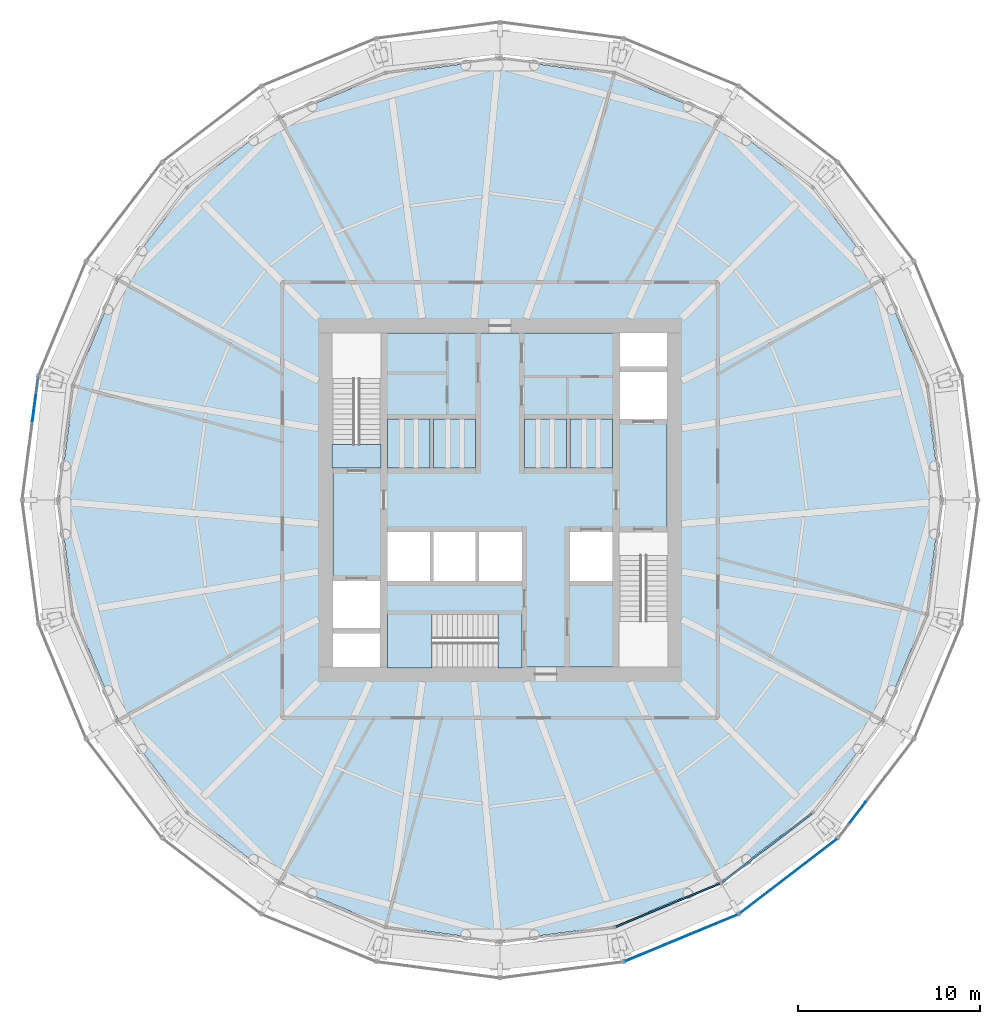
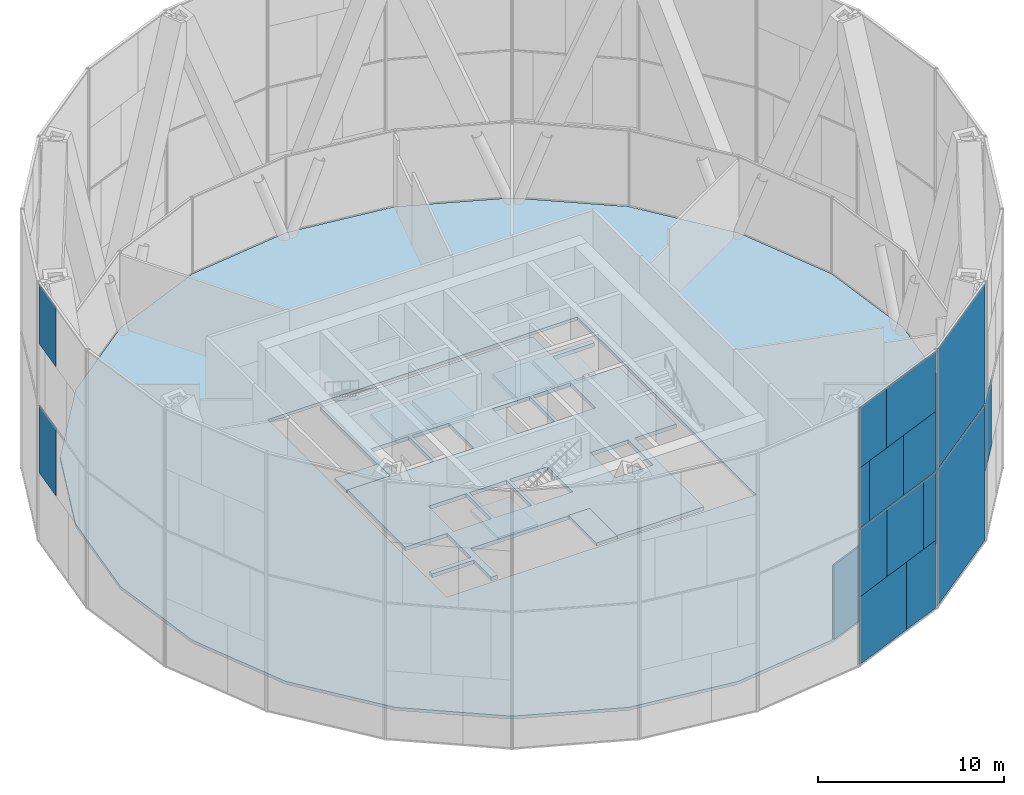
# One storey, part 10 of 16: 17 plates, 9 slabs, 7 elements without a shape of their own.
"""IFC4 building model written with IfcOpenShell, lengths in metres."""

from ifc_helpers import new_model, si_unit, direction, frame, origin, origin_2d, place, context, subcontext, project, spatial, polyline, rectangle, outline, extrude, material, layer, layer_set, type_object, element, aggregate, save


model = new_model("IFC4")

# Units and contexts
model_context = context("Model", 3, precision=1e-05, world=origin(), true_north=direction((0.0, 1.0)))
body_context = subcontext(model_context, "Body", "Model", "MODEL_VIEW")
ifc_project = project(units=[si_unit("LENGTHUNIT", "METRE"), si_unit("AREAUNIT", "SQUARE_METRE"), si_unit("VOLUMEUNIT", "CUBIC_METRE"), si_unit("PLANEANGLEUNIT", "RADIAN"), si_unit("MASSUNIT", "GRAM", prefix="KILO")], contexts=[model_context])

# Site, building, storey
site_placement = place(None, origin())
site = spatial("IfcSite", under=ifc_project, at=site_placement, CompositionType="ELEMENT")
building_placement = place(site_placement, origin())
building = spatial("IfcBuilding", under=site, at=building_placement, Name="Golbaran Civic Tower", CompositionType="ELEMENT")
storey_placement = place(building_placement, frame((0.0, 0.0, 85.0)))
storey = spatial("IfcBuildingStorey", under=building, at=storey_placement, Name="L20", CompositionType="ELEMENT", Elevation=85.0)

# Slabs
ifc_material_1 = material(Name="Concrete LC30/33 lightweight on steel deck", Category="concrete")
ifc_layer_1 = layer(ifc_material_1, 0.199951171875, Name="Concrete LC30/33 lightweight on steel deck")
ifc_layer_set_1 = layer_set([ifc_layer_1], Name="Concrete LC30/33 lightweight on steel deck")
slab_type_1 = type_object("IfcSlabType", Name="COMPOSITE FLOOR SLAB 200", PredefinedType="FLOOR", material=ifc_layer_set_1)
slab_1_placement = place(storey_placement, frame((0.0, 0.0, -0.199951171875)))
element("IfcSlab", 1, at=slab_1_placement, inside=storey, type_object=slab_type_1, Name="Floor slab L20", PredefinedType="FLOOR", context=body_context, shape_type="SweptSolid", body=[
    extrude(outline(polyline([(21.03173828125, -12.142578125), (17.17236328125, -17.17236328125), (12.142578125, -21.03173828125), (6.285400390625, -23.457763671875), (0.0, -24.285400390625), (-6.285400390625, -23.457763671875), (-12.142578125, -21.03173828125), (-17.17236328125, -17.17236328125), (-21.03173828125, -12.142578125), (-23.457763671875, -6.285400390625), (-24.285400390625, 0.0), (-23.457763671875, 6.285400390625), (-21.03173828125, 12.142578125), (-17.17236328125, 17.17236328125), (-12.142578125, 21.03173828125), (-6.285400390625, 23.457763671875), (0.0, 24.285400390625), (6.285400390625, 23.457763671875), (12.142578125, 21.03173828125), (17.17236328125, 17.17236328125), (21.03173828125, 12.142578125), (23.457763671875, 6.285400390625), (24.285400390625, 0.0), (23.457763671875, -6.285400390625), (21.03173828125, -12.142578125)]), holes=[polyline([(-9.60009765625, 9.60009765625), (-9.60009765625, -9.60009765625), (9.60009765625, -9.60009765625), (9.60009765625, 9.60009765625), (-9.60009765625, 9.60009765625)])]), origin(), (0.0, 0.0, 1.0), 0.199951171875),
])
ifc_material_2 = material(Name="Concrete C35/45", Category="concrete")
ifc_layer_2 = layer(ifc_material_2, 0.25, Name="Concrete C35/45")
ifc_layer_set_2 = layer_set([ifc_layer_2], Name="Concrete C35/45")
slab_type_2 = type_object("IfcSlabType", Name="CORE FLOOR SLAB 250", PredefinedType="FLOOR", material=ifc_layer_set_2)
slab_2_placement = place(storey_placement, frame((0.0, 0.0, -0.25)))
element("IfcSlab", 2, at=slab_2_placement, inside=storey, type_object=slab_type_2, Name="Core floor slab L20", PredefinedType="FLOOR", context=body_context, shape_type="SweptSolid", body=[
    extrude(outline(polyline([(6.60009765625, -1.75), (6.60009765625, -9.199951171875), (1.199951171875, -9.199951171875), (1.199951171875, -6.300048828125), (-6.199951171875, -6.300048828125), (-6.199951171875, -9.199951171875), (-6.60009765625, -9.199951171875), (-6.60009765625, -7.35009765625), (-9.199951171875, -7.35009765625), (-9.199951171875, -7.050048828125), (-6.60009765625, -7.050048828125), (-6.60009765625, -4.449951171875), (-9.199951171875, -4.449951171875), (-9.199951171875, 1.75), (-6.60009765625, 1.75), (-6.60009765625, 9.199951171875), (6.60009765625, 9.199951171875), (6.60009765625, 7.35009765625), (9.199951171875, 7.35009765625), (9.199951171875, 7.050048828125), (6.60009765625, 7.050048828125), (6.60009765625, 4.449951171875), (9.199951171875, 4.449951171875), (9.199951171875, -1.75), (6.60009765625, -1.75)]), holes=[polyline([(6.199951171875, -1.75), (3.85009765625, -1.75), (3.85009765625, -4.449951171875), (6.199951171875, -4.449951171875), (6.199951171875, -1.75)]), polyline([(6.199951171875, 4.449951171875), (3.85009765625, 4.449951171875), (3.85009765625, 1.75), (6.199951171875, 1.75), (6.199951171875, 4.449951171875)]), polyline([(3.64990234375, 4.449951171875), (1.35009765625, 4.449951171875), (1.35009765625, 1.75), (3.64990234375, 1.75), (3.64990234375, 4.449951171875)]), polyline([(1.199951171875, -1.75), (-1.14990234375, -1.75), (-1.14990234375, -4.449951171875), (1.199951171875, -4.449951171875), (1.199951171875, -1.75)]), polyline([(-1.35009765625, 4.449951171875), (-3.64990234375, 4.449951171875), (-3.64990234375, 1.75), (-1.35009765625, 1.75), (-1.35009765625, 4.449951171875)]), polyline([(-1.35009765625, -1.75), (-3.64990234375, -1.75), (-3.64990234375, -4.449951171875), (-1.35009765625, -4.449951171875), (-1.35009765625, -1.75)]), polyline([(-3.85009765625, -1.75), (-6.199951171875, -1.75), (-6.199951171875, -4.449951171875), (-3.85009765625, -4.449951171875), (-3.85009765625, -1.75)]), polyline([(-3.85009765625, 4.449951171875), (-6.199951171875, 4.449951171875), (-6.199951171875, 1.75), (-3.85009765625, 1.75), (-3.85009765625, 4.449951171875)])]), origin(), (0.0, 0.0, 1.0), 0.25),
])
ifc_layer_3 = layer(ifc_material_2, 0.300048828125, Name="Concrete C35/45")
ifc_layer_set_3 = layer_set([ifc_layer_3], Name="Concrete C35/45")
slab_type_3 = type_object("IfcSlabType", Name="LIFT PIT SLAB 300", PredefinedType="FLOOR", material=ifc_layer_set_3)
slab_3_placement = place(storey_placement, frame((0.0, 0.0, 2.0)))
element("IfcSlab", 3, at=slab_3_placement, inside=storey, type_object=slab_type_3, Name="Lift pit slab Z1M", PredefinedType="FLOOR", context=body_context, shape_type="SweptSolid", body=[
    extrude(outline(polyline([(-6.199951171875, 1.75), (-3.85009765625, 1.75), (-3.85009765625, 4.449951171875), (-6.199951171875, 4.449951171875), (-6.199951171875, 1.75)])), origin(), (0.0, 0.0, 1.0), 0.300048828125),
])
slab_4_placement = place(storey_placement, frame((0.0, 0.0, 2.0)))
element("IfcSlab", 4, at=slab_4_placement, inside=storey, type_object=slab_type_3, Name="Lift pit slab Z2M", PredefinedType="FLOOR", context=body_context, shape_type="SweptSolid", body=[
    extrude(outline(polyline([(-3.64990234375, 1.75), (-1.35009765625, 1.75), (-1.35009765625, 4.449951171875), (-3.64990234375, 4.449951171875), (-3.64990234375, 1.75)])), origin(), (0.0, 0.0, 1.0), 0.300048828125),
])
slab_5_placement = place(storey_placement, frame((0.0, 0.0, 2.0)))
element("IfcSlab", 5, at=slab_5_placement, inside=storey, type_object=slab_type_3, Name="Lift pit slab Z3M", PredefinedType="FLOOR", context=body_context, shape_type="SweptSolid", body=[
    extrude(outline(polyline([(1.35009765625, 1.75), (3.64990234375, 1.75), (3.64990234375, 4.449951171875), (1.35009765625, 4.449951171875), (1.35009765625, 1.75)])), origin(), (0.0, 0.0, 1.0), 0.300048828125),
])
slab_6_placement = place(storey_placement, frame((0.0, 0.0, 2.0)))
element("IfcSlab", 6, at=slab_6_placement, inside=storey, type_object=slab_type_3, Name="Lift pit slab Z4M", PredefinedType="FLOOR", context=body_context, shape_type="SweptSolid", body=[
    extrude(outline(polyline([(3.85009765625, 1.75), (6.199951171875, 1.75), (6.199951171875, 4.449951171875), (3.85009765625, 4.449951171875), (3.85009765625, 1.75)])), origin(), (0.0, 0.0, 1.0), 0.300048828125),
])

# Curtain wall, plate
ifc_material_3 = material(Name="Aluminium and glass", Category="aluminium")
curtain_wall_type_1 = type_object("IfcCurtainWallType", Name="OUTER SKIN TERRACOTTA SCREEN", PredefinedType="NOTDEFINED", material=ifc_material_3)
curtain_wall_1_placement = place(storey_placement, origin())
curtain_wall_1 = element("IfcCurtainWall", 7, at=curtain_wall_1_placement, inside=storey, type_object=curtain_wall_type_1, Name="Outer skin L20 facet 12 CW3", ObjectType="OUTER SKIN", PredefinedType="USERDEFINED")
ifc_material_4 = material(Name="Clear laminated glass", Category="glass")
ifc_layer_4 = layer(ifc_material_4, 0.0400390625, Name="Clear laminated glass")
ifc_layer_set_4 = layer_set([ifc_layer_4], Name="Clear laminated glass")
plate_type_1 = type_object("IfcPlateType", Name="OUTER SKIN CLEAR GLASS PANEL", PredefinedType="CURTAIN_PANEL", material=ifc_layer_set_4)
plate_1_placement = place(storey_placement, frame((-25.60205078125, 5.53759765625, 3.81005859375), z_axis=(0.0, 0.0, 1.0), x_axis=(-0.13052619222, -0.991444861374, 0.0)))
plate_1 = element("IfcPlate", 8, at=plate_1_placement, type_object=plate_type_1, Name="CW3 panel 1.1 part 3", PredefinedType="CURTAIN_PANEL", context=body_context, shape_type="SweptSolid", body=[
    extrude(rectangle(XDim=2.4169921875, YDim=0.0400390625, at=origin_2d()), origin(), (0.0, 0.0, 1.0), 4.43994140625),
])

# Curtain wall, plates
curtain_wall_2_placement = place(storey_placement, origin())
curtain_wall_2 = element("IfcCurtainWall", 9, at=curtain_wall_2_placement, inside=storey, type_object=curtain_wall_type_1, Name="Outer skin L20 facet 20 CW3", ObjectType="OUTER SKIN", PredefinedType="USERDEFINED")
plate_2_placement = place(storey_placement, frame((8.802734375, -24.6103515625, -0.6298828125), z_axis=(0.0, 0.0, 1.0), x_axis=(0.923879532498, 0.382683432397, 0.0)))
plate_2 = element("IfcPlate", 10, at=plate_2_placement, type_object=plate_type_1, Name="CW3 panel 1.1 part 1", PredefinedType="CURTAIN_PANEL", context=body_context, shape_type="SweptSolid", body=[
    extrude(rectangle(XDim=4.14306640625, YDim=0.0400390625, at=origin_2d()), origin(), (0.0, 0.0, 1.0), 4.43994140625),
])
plate_3_placement = place(storey_placement, frame((8.00537109375, -24.940673828125, 3.81005859375), z_axis=(0.0, 0.0, 1.0), x_axis=(0.923879532498, 0.382683432397, 0.0)))
plate_3 = element("IfcPlate", 11, at=plate_3_placement, type_object=plate_type_1, Name="CW3 panel 1.1 part 3", PredefinedType="CURTAIN_PANEL", context=body_context, shape_type="SweptSolid", body=[
    extrude(rectangle(XDim=2.4169921875, YDim=0.0400390625, at=origin_2d()), origin(), (0.0, 0.0, 1.0), 4.43994140625),
])
plate_4_placement = place(storey_placement, frame((12.598388671875, -23.038330078125, 3.81005859375), z_axis=(0.0, 0.0, 1.0), x_axis=(0.923879532498, 0.382683432397, 0.0)))
plate_4 = element("IfcPlate", 12, at=plate_4_placement, type_object=plate_type_1, Name="CW3 panel 1.1 part 5", PredefinedType="CURTAIN_PANEL", context=body_context, shape_type="SweptSolid", body=[
    extrude(rectangle(XDim=1.06787109375, YDim=0.0400390625, at=origin_2d()), origin(), (0.0, 0.0, 1.0), 4.43994140625),
])
plate_5_placement = place(storey_placement, frame((7.283447265625, -25.23974609375, 8.330078125), z_axis=(0.0, 0.0, 1.0), x_axis=(0.923879532498, 0.382683432397, 0.0)))
plate_5 = element("IfcPlate", 13, at=plate_5_placement, type_object=plate_type_1, Name="CW3 panel 1.2 part 1", PredefinedType="CURTAIN_PANEL", context=body_context, shape_type="SweptSolid", body=[
    extrude(rectangle(XDim=0.85400390625, YDim=0.0400390625, at=origin_2d()), origin(), (0.0, 0.0, 1.0), 3.93994140625),
])
plate_6_placement = place(storey_placement, frame((11.787109375, -23.374267578125, 8.330078125), z_axis=(0.0, 0.0, 1.0), x_axis=(0.923879532498, 0.382683432397, 0.0)))
plate_6 = element("IfcPlate", 14, at=plate_6_placement, type_object=plate_type_1, Name="CW3 panel 1.2 part 3", PredefinedType="CURTAIN_PANEL", context=body_context, shape_type="SweptSolid", body=[
    extrude(rectangle(XDim=2.82373046875, YDim=0.0400390625, at=origin_2d()), origin(), (0.0, 0.0, 1.0), 3.93994140625),
])
plate_7_placement = place(storey_placement, frame((11.080322265625, -23.6669921875, 12.27001953125), z_axis=(0.0, 0.0, 1.0), x_axis=(0.923879532498, 0.382683432397, 0.0)))
plate_7 = element("IfcPlate", 15, at=plate_7_placement, type_object=plate_type_1, Name="CW3 panel 1.2 part 5", PredefinedType="CURTAIN_PANEL", context=body_context, shape_type="SweptSolid", body=[
    extrude(rectangle(XDim=4.353759765625, YDim=0.0400390625, at=origin_2d()), origin(), (0.0, 0.0, 1.0), 3.93994140625),
])

# Curtain wall, plate
curtain_wall_3_placement = place(storey_placement, origin())
curtain_wall_3 = element("IfcCurtainWall", 16, at=curtain_wall_3_placement, inside=storey, type_object=curtain_wall_type_1, Name="Outer skin L20 facet 22 CW3", ObjectType="OUTER SKIN", PredefinedType="USERDEFINED")
plate_8_placement = place(storey_placement, frame((19.4033203125, -17.5966796875, 3.81005859375), z_axis=(0.0, 0.0, 1.0), x_axis=(0.608761429078, 0.793353340238, 0.0)))
plate_8 = element("IfcPlate", 17, at=plate_8_placement, type_object=plate_type_1, Name="CW3 panel 1.1 part 3", PredefinedType="CURTAIN_PANEL", context=body_context, shape_type="SweptSolid", body=[
    extrude(rectangle(XDim=2.4169921875, YDim=0.0400390625, at=origin_2d()), origin(), (0.0, 0.0, 1.0), 4.43994140625),
])
aggregate(curtain_wall_3, [plate_8])

# Plate
ifc_material_5 = material(Name="Terracotta baguette screen", Category="masonry")
ifc_layer_5 = layer(ifc_material_5, 0.0400390625, Name="Terracotta baguette screen")
ifc_layer_set_5 = layer_set([ifc_layer_5], Name="Terracotta baguette screen")
plate_type_2 = type_object("IfcPlateType", Name="OUTER SKIN TERRACOTTA INFILL PANEL", PredefinedType="CURTAIN_PANEL", material=ifc_layer_set_5)
plate_9_placement = place(storey_placement, frame((-25.59814453125, 5.565673828125, 12.27001953125), z_axis=(0.0, 0.0, 1.0), x_axis=(-0.13052619222, -0.991444861374, 0.0)))
plate_9 = element("IfcPlate", 18, at=plate_9_placement, type_object=plate_type_2, Name="CW3 infill panel 1.2 part 4", PredefinedType="CURTAIN_PANEL", context=body_context, shape_type="SweptSolid", body=[
    extrude(rectangle(XDim=2.360107421875, YDim=0.0400390625, at=origin_2d()), origin(), (0.0, 0.0, 1.0), 3.93994140625),
])

aggregate(curtain_wall_1, [plate_1, plate_9])

plate_10_placement = place(storey_placement, frame((11.904052734375, -23.325927734375, -0.6298828125), z_axis=(0.0, 0.0, 1.0), x_axis=(0.923879532498, 0.382683432397, 0.0)))
plate_10 = element("IfcPlate", 19, at=plate_10_placement, type_object=plate_type_2, Name="CW3 infill panel 1.1 part 2", PredefinedType="CURTAIN_PANEL", context=body_context, shape_type="SweptSolid", body=[
    extrude(rectangle(XDim=2.57080078125, YDim=0.0400390625, at=origin_2d()), origin(), (0.0, 0.0, 1.0), 4.43994140625),
])

plate_11_placement = place(storey_placement, frame((10.613525390625, -23.8603515625, 3.81005859375), z_axis=(0.0, 0.0, 1.0), x_axis=(0.923879532498, 0.382683432397, 0.0)))
plate_11 = element("IfcPlate", 20, at=plate_11_placement, type_object=plate_type_2, Name="CW3 infill panel 1.1 part 4", PredefinedType="CURTAIN_PANEL", context=body_context, shape_type="SweptSolid", body=[
    extrude(rectangle(XDim=3.22900390625, YDim=0.0400390625, at=origin_2d()), origin(), (0.0, 0.0, 1.0), 4.43994140625),
])

plate_12_placement = place(storey_placement, frame((9.080322265625, -24.495361328125, 8.330078125), z_axis=(0.0, 0.0, 1.0), x_axis=(0.923879532498, 0.382683432397, 0.0)))
plate_12 = element("IfcPlate", 21, at=plate_12_placement, type_object=plate_type_2, Name="CW3 infill panel 1.2 part 2", PredefinedType="CURTAIN_PANEL", context=body_context, shape_type="SweptSolid", body=[
    extrude(rectangle(XDim=3.035888671875, YDim=0.0400390625, at=origin_2d()), origin(), (0.0, 0.0, 1.0), 3.93994140625),
])

plate_13_placement = place(storey_placement, frame((7.97900390625, -24.95166015625, 12.27001953125), z_axis=(0.0, 0.0, 1.0), x_axis=(0.923879532498, 0.382683432397, 0.0)))
plate_13 = element("IfcPlate", 22, at=plate_13_placement, type_object=plate_type_2, Name="CW3 infill panel 1.2 part 4", PredefinedType="CURTAIN_PANEL", context=body_context, shape_type="SweptSolid", body=[
    extrude(rectangle(XDim=2.360107421875, YDim=0.0400390625, at=origin_2d()), origin(), (0.0, 0.0, 1.0), 3.93994140625),
])

aggregate(curtain_wall_2, [plate_2, plate_10, plate_3, plate_11, plate_4, plate_5, plate_12, plate_6, plate_13, plate_7])

# Curtain wall, plates
curtain_wall_4_placement = place(storey_placement, origin())
curtain_wall_4 = element("IfcCurtainWall", 23, at=curtain_wall_4_placement, inside=storey, type_object=curtain_wall_type_1, Name="Outer skin L20 facet 21 CW3", ObjectType="OUTER SKIN", PredefinedType="USERDEFINED")
ifc_layer_6 = layer(ifc_material_5, 0.0400390625, Name="Terracotta baguette screen")
ifc_layer_set_6 = layer_set([ifc_layer_6], Name="Terracotta baguette screen")
plate_type_3 = type_object("IfcPlateType", Name="OUTER SKIN TERRACOTTA SCREEN PANEL", PredefinedType="CURTAIN_PANEL", material=ifc_layer_set_6)
plate_14_placement = place(storey_placement, frame((15.89208984375, -20.711181640625, -0.6298828125), z_axis=(0.0, 0.0, 1.0), x_axis=(0.793353340238, 0.608761429078, 0.0)))
plate_14 = element("IfcPlate", 24, at=plate_14_placement, type_object=plate_type_3, Name="CW3 terracotta screen panel 1.1", PredefinedType="CURTAIN_PANEL", context=body_context, shape_type="SweptSolid", body=[
    extrude(rectangle(XDim=6.7138671875, YDim=0.0400390625, at=origin_2d()), origin(), (0.0, 0.0, 1.0), 8.8798828125),
])
plate_15_placement = place(storey_placement, frame((15.89208984375, -20.711181640625, 8.330078125), z_axis=(0.0, 0.0, 1.0), x_axis=(0.793353340238, 0.608761429078, 0.0)))
plate_15 = element("IfcPlate", 25, at=plate_15_placement, type_object=plate_type_3, Name="CW3 terracotta screen panel 1.2", PredefinedType="CURTAIN_PANEL", context=body_context, shape_type="SweptSolid", body=[
    extrude(rectangle(XDim=6.7138671875, YDim=0.0400390625, at=origin_2d()), origin(), (0.0, 0.0, 1.0), 7.8798828125),
])
aggregate(curtain_wall_4, [plate_14, plate_15])

# Curtain wall, plate
curtain_wall_type_2 = type_object("IfcCurtainWallType", Name="PLANT FLOOR LOUVRE WALL", PredefinedType="NOTDEFINED", material=ifc_material_3)
curtain_wall_5_placement = place(storey_placement, origin())
curtain_wall_5 = element("IfcCurtainWall", 26, at=curtain_wall_5_placement, inside=storey, type_object=curtain_wall_type_2, Name="Inner skin L20 facet 20 CW6", ObjectType="PLANT LOUVRE WALL", PredefinedType="USERDEFINED")
ifc_material_6 = material(Name="Aluminium louvre", Category="aluminium")
ifc_layer_7 = layer(ifc_material_6, 0.10009765625, Name="Aluminium louvre")
ifc_layer_set_7 = layer_set([ifc_layer_7], Name="Aluminium louvre")
plate_type_4 = type_object("IfcPlateType", Name="PLANT FLOOR LOUVRE WALL LOUVRE PANEL", PredefinedType="CURTAIN_PANEL", material=ifc_layer_set_7)
plate_16_placement = place(storey_placement, frame((9.24462890625, -22.318603515625, 0.06982421875), z_axis=(0.0, 0.0, 1.0), x_axis=(0.923879532551, 0.382683432268, 0.0)))
plate_16 = element("IfcPlate", 27, at=plate_16_placement, type_object=plate_type_4, Name="CW6 panel 1.1", PredefinedType="CURTAIN_PANEL", context=body_context, shape_type="SweptSolid", body=[
    extrude(rectangle(XDim=6.220703125, YDim=0.10009765625, at=origin_2d()), origin(), (0.0, 0.0, 1.0), 4.860107421875),
])
aggregate(curtain_wall_5, [plate_16])

curtain_wall_6_placement = place(storey_placement, origin())
curtain_wall_6 = element("IfcCurtainWall", 28, at=curtain_wall_6_placement, inside=storey, type_object=curtain_wall_type_2, Name="Inner skin L20 facet 21 CW6", ObjectType="PLANT LOUVRE WALL", PredefinedType="USERDEFINED")
plate_17_placement = place(storey_placement, frame((14.706298828125, -19.16552734375, 0.06982421875), z_axis=(0.0, 0.0, 1.0), x_axis=(0.793353340206, 0.608761429119, 0.0)))
plate_17 = element("IfcPlate", 29, at=plate_17_placement, type_object=plate_type_4, Name="CW6 panel 1.1", PredefinedType="CURTAIN_PANEL", context=body_context, shape_type="SweptSolid", body=[
    extrude(rectangle(XDim=6.220703125, YDim=0.10009765625, at=origin_2d()), origin(), (0.0, 0.0, 1.0), 4.860107421875),
])
aggregate(curtain_wall_6, [plate_17])

# Slab
ifc_layer_8 = layer(ifc_material_2, 0.199951171875, Name="Concrete C35/45")
ifc_layer_set_8 = layer_set([ifc_layer_8], Name="Concrete C35/45")
slab_type_4 = type_object("IfcSlabType", Name="STAIR LANDING 200", PredefinedType="LANDING", material=ifc_layer_set_8)
slab_7_placement = place(storey_placement, frame((0.0, 0.0, -0.199951171875)))
element("IfcSlab", 30, at=slab_7_placement, inside=storey, type_object=slab_type_4, Name="Stair S1 floor landing L20", PredefinedType="LANDING", context=body_context, shape_type="SweptSolid", body=[
    extrude(outline(polyline([(-9.25, 1.75), (-9.25, 3.054931640625), (-6.550048828125, 3.054931640625), (-6.550048828125, 1.75), (-9.25, 1.75)])), origin(), (0.0, 0.0, 1.0), 0.199951171875),
])

# Stair, slab
stair_type = type_object("IfcStairType", Name="EXIT STAIR 2900 x 7400, 5000 RISE", PredefinedType="HALF_TURN_STAIR", material=ifc_material_2)
stair_placement = place(storey_placement, origin())
stair = element("IfcStair", 31, at=stair_placement, inside=storey, type_object=stair_type, Name="Stair S3 L20", PredefinedType="HALF_TURN_STAIR")
slab_8_placement = place(storey_placement, frame((0.0, 0.0, 2.300048828125)))
slab_8 = element("IfcSlab", 32, at=slab_8_placement, type_object=slab_type_4, Name="ST29074-50 landing 1", PredefinedType="LANDING", context=body_context, shape_type="SweptSolid", body=[
    extrude(outline(polyline([(-3.735107421875, -9.25), (-6.199951171875, -9.25), (-6.199951171875, -6.25), (-3.735107421875, -6.25), (-3.735107421875, -9.25)])), origin(), (0.0, 0.0, 1.0), 0.199951171875),
])
aggregate(stair, [slab_8])

# Slab
slab_9_placement = place(storey_placement, frame((0.0, 0.0, -0.199951171875)))
element("IfcSlab", 33, at=slab_9_placement, inside=storey, type_object=slab_type_4, Name="Stair S3 floor landing L20", PredefinedType="LANDING", context=body_context, shape_type="SweptSolid", body=[
    extrude(outline(polyline([(1.199951171875, -9.25), (-0.10498046875, -9.25), (-0.10498046875, -6.25), (1.199951171875, -6.25), (1.199951171875, -9.25)])), origin(), (0.0, 0.0, 1.0), 0.199951171875),
])

save(model, "model.ifc")
